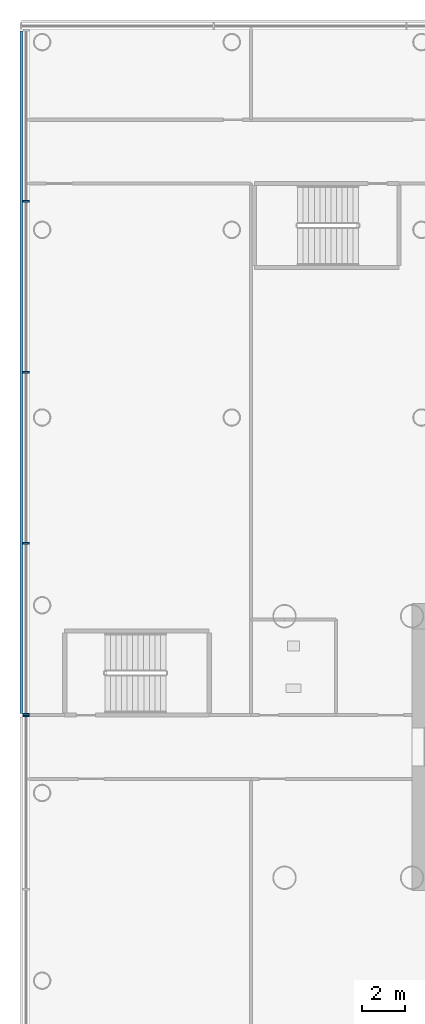
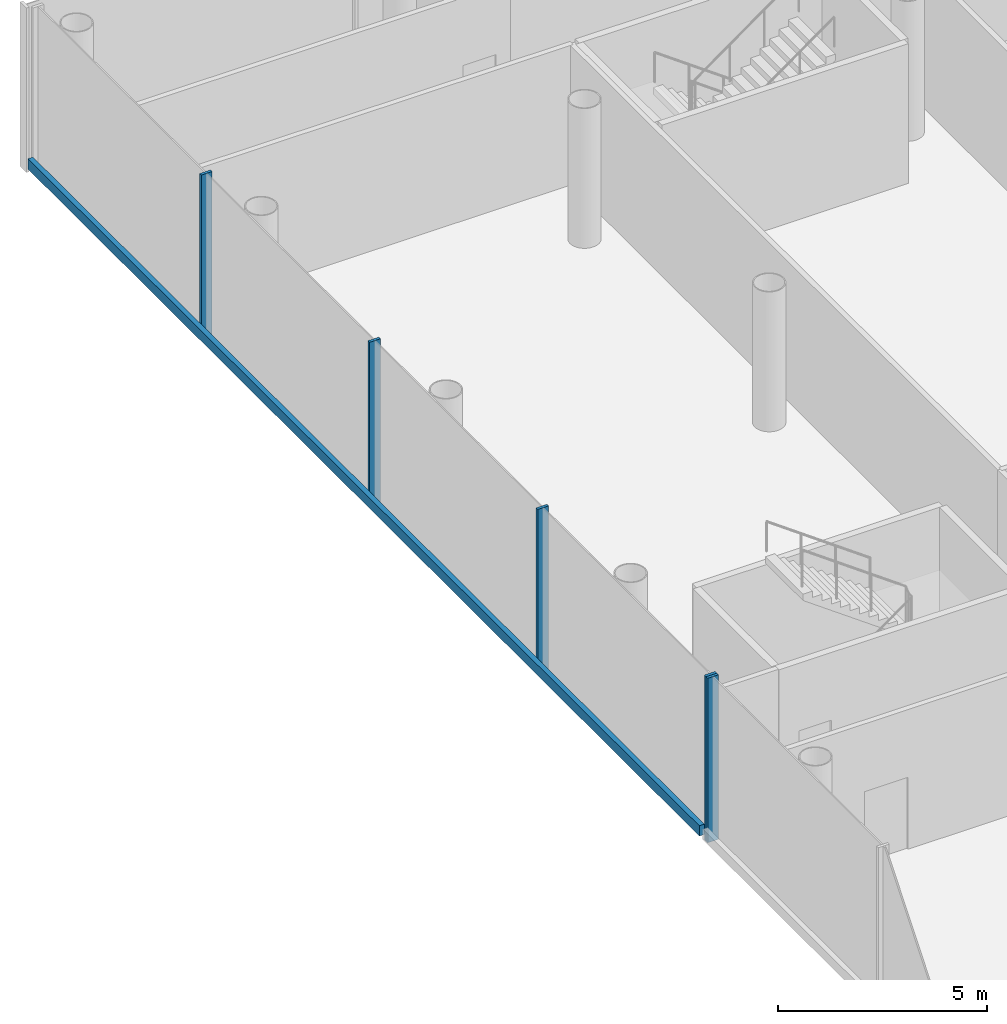
# One storey, part 7 of 49: 6 members, 2 elements without a shape of their own.
"""IFC4 building model written with IfcOpenShell, lengths in metres."""

import ifcopenshell
import ifcopenshell.guid

model = None  # the IFC model being written
_history = None  # IfcOwnerHistory: only IFC2X3 demands one
_inside = {}  # id of a spatial element -> (the spatial element, [elements in it])
_under = {}  # id of a project, library or spatial element -> (it, [spatial elements below it])
_declared = {}  # id of a project -> (the project, [libraries it declares])
_typed = {}  # id of a type object -> (the type object, [elements of that type])
_made_of = {}  # id of a material, layer set ... -> (it, [elements and type objects made of it])


def new_model(schema):
    """Start an empty IFC model of exactly this schema.

    Asked for "IFC4X3", IfcOpenShell would pick the latest addendum, in which some entities
    have other attributes; the version numbers below select the first issue.
    IFC2X3 requires an IfcOwnerHistory on every rooted entity: one is made here for all.
    """
    global model, _history
    if schema == "IFC4X3":
        model = ifcopenshell.file(schema_version=(4, 3, 0, 0))
    else:
        model = ifcopenshell.file(schema=schema)
    _inside.clear()
    _under.clear()
    _declared.clear()
    _typed.clear()
    _made_of.clear()
    _history = None
    if model.schema == "IFC2X3":
        org = make("IfcOrganization", Name="unknown")
        user = make(
            "IfcPersonAndOrganization",
            ThePerson=make("IfcPerson", FamilyName="unknown"),
            TheOrganization=org,
        )
        app = make(
            "IfcApplication",
            ApplicationDeveloper=org,
            Version="unknown",
            ApplicationFullName="unknown",
            ApplicationIdentifier="unknown",
        )
        _history = make(
            "IfcOwnerHistory",
            OwningUser=user,
            OwningApplication=app,
            ChangeAction="ADDED",
            CreationDate=0,
        )
    return model


def make(cls, **values):
    """One entity of the class cls with the attributes given. An attribute that is None is left unset."""
    return model.create_entity(
        cls, **{name: value for name, value in values.items() if value is not None}
    )


def rooted(cls, **values):
    """An entity with a GlobalId (a new one), such as an element, a storey or a relation."""
    return make(cls, GlobalId=ifcopenshell.guid.new(), OwnerHistory=_history, **values)


def si_unit(unit_type, name, prefix=None):
    """IfcSIUnit, for example si_unit("LENGTHUNIT", "METRE", prefix="MILLI")."""
    return make("IfcSIUnit", UnitType=unit_type, Prefix=prefix, Name=name)


def assignment(units):
    """IfcUnitAssignment: the units of a project."""
    return None if units is None else make("IfcUnitAssignment", Units=units)


def point(xyz):
    """IfcCartesianPoint."""
    return None if xyz is None else make("IfcCartesianPoint", Coordinates=xyz)


def direction(xyz):
    """IfcDirection."""
    return None if xyz is None else make("IfcDirection", DirectionRatios=xyz)


def frame(location, z_axis=None, x_axis=None):
    """IfcAxis2Placement3D, a coordinate frame: its origin and axes. An axis left out is left unset."""
    return make(
        "IfcAxis2Placement3D",
        Location=point(location),
        Axis=direction(z_axis),
        RefDirection=direction(x_axis),
    )


def frame_2d(location, x_axis=None):
    """IfcAxis2Placement2D, a coordinate frame in the plane: its origin and x axis."""
    return make(
        "IfcAxis2Placement2D", Location=point(location), RefDirection=direction(x_axis)
    )


def origin():
    """The frame at (0, 0, 0) with its axes left unset."""
    return frame((0.0, 0.0, 0.0))


def origin_2d():
    """The frame at (0, 0) in the plane with its x axis left unset."""
    return frame_2d((0.0, 0.0))


def place(relative_to, where):
    """IfcLocalPlacement: puts the frame where relative to a parent placement (None: the world)."""
    return make(
        "IfcLocalPlacement", PlacementRelTo=relative_to, RelativePlacement=where
    )


def context(
    kind, dimensions, precision=None, world=None, true_north=None, identifier=None
):
    """IfcGeometricRepresentationContext, for example the 3D "Model" context."""
    return make(
        "IfcGeometricRepresentationContext",
        ContextIdentifier=identifier,
        ContextType=kind,
        CoordinateSpaceDimension=dimensions,
        Precision=precision,
        WorldCoordinateSystem=world,
        TrueNorth=true_north,
    )


def subcontext(parent, identifier, kind, view, scale=None):
    """IfcGeometricRepresentationSubContext, for example "Body" below "Model"."""
    return make(
        "IfcGeometricRepresentationSubContext",
        ContextIdentifier=identifier,
        ContextType=kind,
        ParentContext=parent,
        TargetScale=scale,
        TargetView=view,
    )


def project(units=None, contexts=None):
    """IfcProject with its units and contexts."""
    return rooted(
        "IfcProject",
        Name="project",
        RepresentationContexts=contexts,
        UnitsInContext=assignment(units),
    )


def spatial(cls, under=None, at=None, **own):
    """A site, building, storey or space (cls), placed at a placement, below another one or the project."""
    s = rooted(cls, ObjectPlacement=at, **own)
    if under is not None:
        _under.setdefault(under.id(), (under, []))[1].append(s)
    return s


def profile(cls, at=None, kind="AREA", **sizes):
    """A parametric profile (cls). Its sizes go by their IFC names, for example OverallWidth=200.0."""
    return make(cls, ProfileType=kind, Position=at, **sizes)


def rectangle(**sizes):
    """IfcRectangleProfileDef."""
    return profile("IfcRectangleProfileDef", **sizes)


def extrude(swept, where, along, depth):
    """IfcExtrudedAreaSolid: the profile swept, set in the frame where, extruded along a direction by depth."""
    return make(
        "IfcExtrudedAreaSolid",
        SweptArea=swept,
        Position=where,
        ExtrudedDirection=direction(along),
        Depth=depth,
    )


def shape(context_of_items, identifier, shape_type, items):
    """IfcShapeRepresentation: the items that make up one representation, for example the "Body"."""
    return make(
        "IfcShapeRepresentation",
        ContextOfItems=context_of_items,
        RepresentationIdentifier=identifier,
        RepresentationType=shape_type,
        Items=items,
    )


def material(Name=None, Category=None):
    """IfcMaterial."""
    return make("IfcMaterial", Name=Name, Category=Category)


def layer(
    of_material, thickness, ventilated=None, Name=None, Category=None, Priority=None
):
    """IfcMaterialLayer: one layer of a wall or slab, of a material (None: an air gap)."""
    return make(
        "IfcMaterialLayer",
        Material=of_material,
        LayerThickness=thickness,
        IsVentilated=ventilated,
        Name=Name,
        Category=Category,
        Priority=Priority,
    )


def layer_set(layers, Name=None):
    """IfcMaterialLayerSet."""
    return make("IfcMaterialLayerSet", MaterialLayers=layers, LayerSetName=Name)


def material_profile(
    of_material, cross_section, Name=None, Category=None, Priority=None
):
    """IfcMaterialProfile: a cross section and its material."""
    return make(
        "IfcMaterialProfile",
        Name=Name,
        Material=of_material,
        Profile=cross_section,
        Priority=Priority,
        Category=Category,
    )


def profile_set(profiles, Name=None, composite=None):
    """IfcMaterialProfileSet."""
    return make(
        "IfcMaterialProfileSet",
        Name=Name,
        MaterialProfiles=profiles,
        CompositeProfile=composite,
    )


def made_of(thing, what):
    """Note that an element or type object is made of a material, layer set ...; save() writes the relation."""
    if what is not None:
        _made_of.setdefault(what.id(), (what, []))[1].append(thing)
    return thing


def type_object(cls, material=None, **own):
    """A type object (cls), such as IfcWallType, which elements share."""
    return made_of(rooted(cls, **own), material)


def element(
    cls,
    number,
    at=None,
    inside=None,
    cuts=None,
    type_object=None,
    material=None,
    context=None,
    identifier="Body",
    shape_type=None,
    held_by="IfcProductDefinitionShape",
    body=None,
    shapes=None,
    **own,
):
    """One element of the class cls, such as IfcWall. Its Tag is "e" and its number.

    at: its placement. inside: the storey or other place that contains it. cuts: it is an
    opening in that element (IfcRelVoidsElement). A single representation is given by context,
    identifier, shape_type and body (its items); several are given by shapes. held_by: the class
    of the entity that holds the representations. save() writes the other relations.
    """
    e = rooted(cls, Tag="e%d" % number, ObjectPlacement=at, **own)
    if body is not None:
        shapes = [shape(context, identifier, shape_type, body)]
    if shapes is not None:
        e.Representation = make(held_by, Representations=shapes)
    if inside is not None:
        _inside.setdefault(inside.id(), (inside, []))[1].append(e)
    if cuts is not None:
        rooted(
            "IfcRelVoidsElement", RelatingBuildingElement=cuts, RelatedOpeningElement=e
        )
    if type_object is not None:
        _typed.setdefault(type_object.id(), (type_object, []))[1].append(e)
    return made_of(e, material)


def aggregate(whole, parts):
    """IfcRelAggregates: a whole, such as a stair, and the parts it consists of."""
    return rooted("IfcRelAggregates", RelatingObject=whole, RelatedObjects=parts)


def save(model, path):
    """Write the relations noted so far, then the file.

    IfcRelAggregates (storeys below a building ...), IfcRelContainedInSpatialStructure (elements
    in a storey), IfcRelDefinesByType, IfcRelAssociatesMaterial and IfcRelDeclares: one each for
    every whole, place, type object, material and project.
    """
    for whole, parts in _under.values():
        aggregate(whole, parts)
    for where, things in _inside.values():
        rooted(
            "IfcRelContainedInSpatialStructure",
            RelatedElements=things,
            RelatingStructure=where,
        )
    for kind, things in _typed.values():
        rooted("IfcRelDefinesByType", RelatedObjects=things, RelatingType=kind)
    for what, things in _made_of.values():
        rooted("IfcRelAssociatesMaterial", RelatedObjects=things, RelatingMaterial=what)
    for by, libraries in _declared.values():
        rooted("IfcRelDeclares", RelatingContext=by, RelatedDefinitions=libraries)
    model.write(path)


model = new_model("IFC4")

# Units and contexts
model_context = context("Model", 3, precision=1e-05, world=origin(), true_north=direction((0.0, 1.0)))
body_context = subcontext(model_context, "Body", "Model", "MODEL_VIEW")
ifc_project = project(units=[si_unit("LENGTHUNIT", "METRE"), si_unit("AREAUNIT", "SQUARE_METRE"), si_unit("VOLUMEUNIT", "CUBIC_METRE"), si_unit("PLANEANGLEUNIT", "RADIAN"), si_unit("MASSUNIT", "GRAM", prefix="KILO")], contexts=[model_context])

# Site, building, storey
site_placement = place(None, origin())
site = spatial("IfcSite", under=ifc_project, at=site_placement, CompositionType="ELEMENT")
building_placement = place(site_placement, origin())
building = spatial("IfcBuilding", under=site, at=building_placement, Name="Ipe Terrace Towers", CompositionType="ELEMENT")
storey_placement = place(building_placement, frame((0.0, 0.0, 20.0)))
storey = spatial("IfcBuildingStorey", under=building, at=storey_placement, Name="L04", CompositionType="ELEMENT", Elevation=20.0)

# Curtain wall, members
ifc_material_1 = material(Name="Aluminium alloy 6063-T6", Category="aluminium")
ifc_layer = layer(ifc_material_1, 0.43994140625)
ifc_layer_set = layer_set([ifc_layer], Name="PODIUM GLAZING CURTAIN WALL")
curtain_wall_type = type_object("IfcCurtainWallType", Name="PODIUM GLAZING CURTAIN WALL", PredefinedType="NOTDEFINED", material=ifc_layer_set)
curtain_wall_1_placement = place(storey_placement, origin())
curtain_wall_1 = element("IfcCurtainWall", 1, at=curtain_wall_1_placement, inside=storey, type_object=curtain_wall_type, Name="POD-CW-L04-02a curtain wall", PredefinedType="NOTDEFINED")
ifc_material_2 = material(Name="Aluminium alloy 6063-T6", Category="aluminium")
ifc_material_profile_1 = material_profile(ifc_material_2, rectangle(XDim=0.300048828125, YDim=0.080078125, at=origin_2d()), Name="PODIUM GLAZING MULLION 300 x 80")
ifc_profile_set_1 = profile_set([ifc_material_profile_1], Name="Aluminium alloy 6063-T6")
member_type_1 = type_object("IfcMemberType", Name="PODIUM GLAZING MULLION 300 x 80", PredefinedType="MULLION", material=ifc_profile_set_1)
member_1_placement = place(storey_placement, frame((-69.89990234375, 25.66748046875, -0.300048828125), z_axis=(0.0, 0.0, 1.0), x_axis=(-1.0, 0.0, 0.0)))
member_1 = element("IfcMember", 2, at=member_1_placement, type_object=member_type_1, Name="POD-CW-L04-02a mullion 2", PredefinedType="MULLION", context=body_context, shape_type="SweptSolid", body=[
    extrude(rectangle(XDim=0.300048828125, YDim=0.080078125, at=origin_2d()), origin(), (0.0, 0.0, 1.0), 4.800048828125),
])
member_2_placement = place(storey_placement, frame((-69.89990234375, 17.625, -0.300048828125), z_axis=(0.0, 0.0, 1.0), x_axis=(-1.0, 0.0, 0.0)))
member_2 = element("IfcMember", 3, at=member_2_placement, type_object=member_type_1, Name="POD-CW-L04-02a mullion 3", PredefinedType="MULLION", context=body_context, shape_type="SweptSolid", body=[
    extrude(rectangle(XDim=0.300048828125, YDim=0.080078125, at=origin_2d()), origin(), (0.0, 0.0, 1.0), 4.800048828125),
])
member_3_placement = place(storey_placement, frame((-69.89990234375, 9.58251953125, -0.300048828125), z_axis=(0.0, 0.0, 1.0), x_axis=(-1.0, 0.0, 0.0)))
member_3 = element("IfcMember", 4, at=member_3_placement, type_object=member_type_1, Name="POD-CW-L04-02a mullion 4", PredefinedType="MULLION", context=body_context, shape_type="SweptSolid", body=[
    extrude(rectangle(XDim=0.300048828125, YDim=0.080078125, at=origin_2d()), origin(), (0.0, 0.0, 1.0), 4.800048828125),
])
member_4_placement = place(storey_placement, frame((-69.89990234375, 1.5400390625, -0.300048828125), z_axis=(0.0, 0.0, 1.0), x_axis=(-1.0, 0.0, 0.0)))
member_4 = element("IfcMember", 5, at=member_4_placement, type_object=member_type_1, Name="POD-CW-L04-02a mullion 5", PredefinedType="MULLION", context=body_context, shape_type="SweptSolid", body=[
    extrude(rectangle(XDim=0.300048828125, YDim=0.080078125, at=origin_2d()), origin(), (0.0, 0.0, 1.0), 4.800048828125),
])

# Curtain wall, member
curtain_wall_2_placement = place(storey_placement, origin())
curtain_wall_2 = element("IfcCurtainWall", 6, at=curtain_wall_2_placement, inside=storey, type_object=curtain_wall_type, Name="POD-CW-L04-02b curtain wall", PredefinedType="NOTDEFINED")
member_5_placement = place(storey_placement, frame((-69.89990234375, 1.4599609375, -0.300048828125), z_axis=(0.0, 0.0, 1.0), x_axis=(-1.0, 0.0, 0.0)))
member_5 = element("IfcMember", 7, at=member_5_placement, type_object=member_type_1, Name="POD-CW-L04-02b mullion 1", PredefinedType="MULLION", context=body_context, shape_type="SweptSolid", body=[
    extrude(rectangle(XDim=0.300048828125, YDim=0.080078125, at=origin_2d()), origin(), (0.0, 0.0, 1.0), 4.800048828125),
])
aggregate(curtain_wall_2, [member_5])

# Member
ifc_material_3 = material(Name="Aluminium alloy 6063-T6", Category="aluminium")
ifc_material_profile_2 = material_profile(ifc_material_3, rectangle(XDim=0.139892578125, YDim=0.300048828125, at=origin_2d()), Name="PODIUM GLAZING TRANSOM 140 x 300")
ifc_profile_set_2 = profile_set([ifc_material_profile_2], Name="Aluminium alloy 6063-T6")
member_type_2 = type_object("IfcMemberType", Name="PODIUM GLAZING TRANSOM 140 x 300", PredefinedType="USERDEFINED", material=ifc_profile_set_2)
member_6_placement = place(storey_placement, frame((-70.1201171875, 33.669921875, 0.0), z_axis=(0.0, -1.0, 0.0), x_axis=(-1.0, 0.0, 0.0)))
member_6 = element("IfcMember", 8, at=member_6_placement, type_object=member_type_2, Name="POD-CW-L04-02a transom", ObjectType="TRANSOM", PredefinedType="USERDEFINED", context=body_context, shape_type="SweptSolid", body=[
    extrude(rectangle(XDim=0.139892578125, YDim=0.300048828125, at=origin_2d()), origin(), (0.0, 0.0, 1.0), 32.08984375),
])

aggregate(curtain_wall_1, [member_1, member_2, member_3, member_4, member_6])

save(model, "model.ifc")
